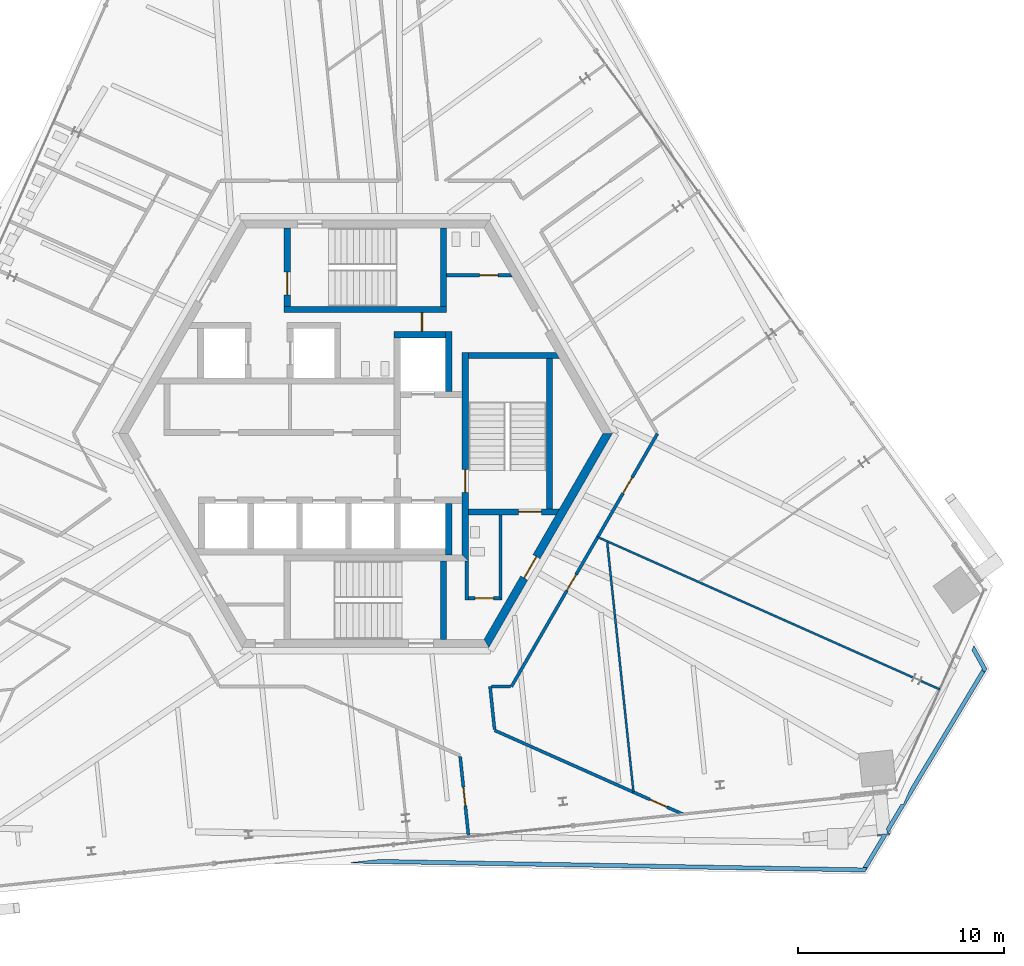
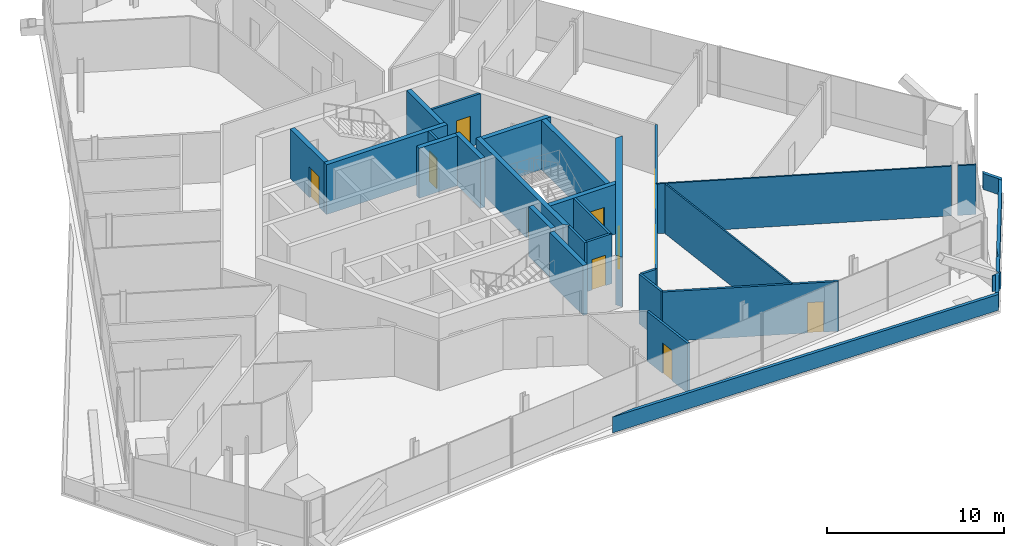
# One storey, part 15 of 21: 28 walls, 11 doors, 11 openings.
"""IFC4 building model written with IfcOpenShell, lengths in metres."""

from ifc_helpers import new_model, si_unit, direction, frame, frame_2d, origin, place, context, subcontext, project, spatial, polyline, rectangle, outline, extrude, source, transform, mapped, material, layer, layer_set, type_object, element, fill, save


model = new_model("IFC4")

# Units and contexts
model_context = context("Model", 3, precision=1e-05, world=origin(), true_north=direction((0.0, 1.0)))
body_context = subcontext(model_context, "Body", "Model", "MODEL_VIEW")
ifc_project = project(units=[si_unit("LENGTHUNIT", "METRE"), si_unit("AREAUNIT", "SQUARE_METRE"), si_unit("VOLUMEUNIT", "CUBIC_METRE"), si_unit("PLANEANGLEUNIT", "RADIAN"), si_unit("MASSUNIT", "GRAM", prefix="KILO")], contexts=[model_context])

# Site, building, storey
site_placement = place(None, origin())
site = spatial("IfcSite", under=ifc_project, at=site_placement, CompositionType="ELEMENT")
building_placement = place(site_placement, origin())
building = spatial("IfcBuilding", under=site, at=building_placement, Name="Triune Harvest Tower", CompositionType="ELEMENT")
storey_placement = place(building_placement, frame((0.0, 0.0, 219.699951171875)))
storey = spatial("IfcBuildingStorey", under=building, at=storey_placement, Name="L57", CompositionType="ELEMENT", Elevation=219.699951171875)

# Wall, opening, door
ifc_material_1 = material(Name="Gypsum board on steel studs", Category="steel")
ifc_layer_1 = layer(ifc_material_1, 0.14990234375)
ifc_layer_set_1 = layer_set([ifc_layer_1], Name="Gypsum board on steel studs")
wall_type_1 = type_object("IfcWallType", Name="Fire Partition 150 mm", PredefinedType="PARTITIONING", material=ifc_layer_set_1)
wall_1_placement = place(storey_placement, frame((6.281494140625, -14.4208984375, 0.0), z_axis=(0.0, 0.0, 1.0), x_axis=(0.913549858738, -0.406726757911, 0.0)))
wall_1 = element("IfcWall", 1, at=wall_1_placement, inside=storey, type_object=wall_type_1, Name="Partition L57 022", PredefinedType="PARTITIONING", context=body_context, shape_type="SweptSolid", body=[
    extrude(rectangle(XDim=10.009765625, YDim=0.14990234375, at=frame_2d((5.0048828125, 0.0))), origin(), (0.0, 0.0, 1.0), 3.43994140625),
])
opening_1_placement = place(wall_1_placement, frame((8.259765625, 0.0, 0.0)))
opening_1 = element("IfcOpeningElement", 2, at=opening_1_placement, cuts=wall_1, Name="Opening L57-026", PredefinedType="OPENING", context=body_context, shape_type="SweptSolid", body=[
    extrude(rectangle(XDim=0.89990234375, YDim=2.10009765625, at=frame_2d((0.449951171875, 1.050048828125))), frame((0.0, 0.0849609375, 0.0), z_axis=(0.0, -1.0, 0.0), x_axis=(1.0, 0.0, 0.0)), (0.0, 0.0, 1.0), 0.169921875),
])
ifc_material_2 = material(Name="Timber and steel door set", Category="steel")
door_type_1 = type_object("IfcDoorType", Name="Single leaf door FD30 right hand 900 x 2100", OperationType="SINGLE_SWING_RIGHT", PredefinedType="DOOR", material=ifc_material_2)
door_1_placement = place(opening_1_placement, origin())
door_1 = element("IfcDoor", 3, at=door_1_placement, inside=storey, type_object=door_type_1, Name="Door L57-026 Open Office 57.26", OperationType="SINGLE_SWING_RIGHT", OverallHeight=2.10009765625, OverallWidth=0.89990234375, PredefinedType="DOOR", context=body_context, shape_type="SweptSolid", body=[
    extrude(rectangle(XDim=0.89990234375, YDim=2.10009765625, at=frame_2d((0.449951171875, 1.050048828125))), frame((0.0, 0.02490234375, 0.0), z_axis=(0.0, -1.0, 0.0), x_axis=(1.0, 0.0, 0.0)), (0.0, 0.0, 1.0), 0.050048828125),
])
fill(opening_1, door_1)

# Walls
ifc_material_3 = material(Name="Concrete 40 MPa", Category="concrete")
ifc_layer_2 = layer(ifc_material_3, 0.199951171875)
ifc_layer_set_2 = layer_set([ifc_layer_2], Name="Concrete 40 MPa")
wall_type_2 = type_object("IfcWallType", Name="PA-1 parapet 200", PredefinedType="PARAPET", material=ifc_layer_set_2)
wall_2_placement = place(storey_placement, origin())
element("IfcWall", 4, at=wall_2_placement, inside=storey, type_object=wall_type_2, Name="Parapet wedge L56 1.1", PredefinedType="PARAPET", context=body_context, shape_type="SweptSolid", body=[
    extrude(outline(polyline([(29.966796875, -11.452880859375), (29.978515625, -11.43310546875), (29.477294921875, -10.528564453125), (29.5791015625, -10.2998046875), (30.20947265625, -11.437255859375), (30.150146484375, -11.5361328125), (30.045166015625, -11.59423828125), (29.966796875, -11.452880859375)])), origin(), (0.0, 0.0, 1.0), 1.10009765625),
])
wall_3_placement = place(storey_placement, origin())
element("IfcWall", 5, at=wall_3_placement, inside=storey, type_object=wall_type_2, Name="Parapet wedge L56 1.2", PredefinedType="PARAPET", context=body_context, shape_type="SweptSolid", body=[
    extrude(outline(polyline([(-0.6943359375, -20.8681640625), (-0.695556640625, -20.84033203125), (0.709716796875, -20.692626953125), (24.1689453125, -21.10205078125), (24.180908203125, -21.082275390625), (24.342529296875, -21.085205078125), (24.34033203125, -21.205078125), (24.281005859375, -21.303955078125), (-0.6943359375, -20.8681640625)])), origin(), (0.0, 0.0, 1.0), 1.10009765625),
])
wall_4_placement = place(storey_placement, origin())
element("IfcWall", 6, at=wall_4_placement, inside=storey, type_object=wall_type_2, Name="Parapet wedge L56 1.3", PredefinedType="PARAPET", context=body_context, shape_type="SweptSolid", body=[
    extrude(outline(polyline([(24.180908203125, -21.082275390625), (25.103271484375, -19.547119140625), (24.895263671875, -19.56884765625), (24.88720703125, -19.493896484375), (25.356201171875, -19.444580078125), (25.327880859375, -19.17333984375), (26.012939453125, -18.033203125), (26.14208984375, -18.01953125), (26.48828125, -17.24169921875), (29.966796875, -11.452880859375), (30.045166015625, -11.59423828125), (30.150146484375, -11.5361328125), (25.401123046875, -19.439697265625), (25.525634765625, -19.4267578125), (25.476806640625, -19.5078125), (25.352294921875, -19.520751953125), (24.34033203125, -21.205078125), (24.342529296875, -21.085205078125), (24.180908203125, -21.082275390625)])), origin(), (0.0, 0.0, 1.0), 1.10009765625),
])
ifc_material_4 = material(Name="Gypsum board on steel studs", Category="steel")
ifc_layer_3 = layer(ifc_material_4, 0.10009765625)
ifc_layer_set_3 = layer_set([ifc_layer_3], Name="Gypsum board on steel studs")
wall_type_3 = type_object("IfcWallType", Name="Partition 100 mm", PredefinedType="PARTITIONING", material=ifc_layer_set_3)
wall_5_placement = place(storey_placement, frame((11.75341796875, -5.29931640625, 0.0), z_axis=(0.0, 0.0, 1.0), x_axis=(0.104548232484, -0.994519817341, 0.0)))
element("IfcWall", 7, at=wall_5_placement, inside=storey, type_object=wall_type_3, Name="Partition L57 008", PredefinedType="PARTITIONING", context=body_context, shape_type="SweptSolid", body=[
    extrude(rectangle(XDim=12.192138671875, YDim=0.10009765625, at=frame_2d((6.09619140625, 0.0))), origin(), (0.0, 0.0, 1.0), 3.43994140625),
])
wall_6_placement = place(storey_placement, frame((11.29150390625, -5.02734375, 0.0), z_axis=(0.0, 0.0, 1.0), x_axis=(0.91354136442, -0.40674583648, 0.0)))
element("IfcWall", 8, at=wall_6_placement, inside=storey, type_object=wall_type_3, Name="Partition L57 028", PredefinedType="PARTITIONING", context=body_context, shape_type="SweptSolid", body=[
    extrude(rectangle(XDim=16.81787109375, YDim=0.10009765625, at=frame_2d((8.408935546875, 0.0))), origin(), (0.0, 0.0, 1.0), 3.43994140625),
])

# Wall, opening, door
ifc_material_5 = material(Name="Concrete 70 MPa", Category="concrete")
ifc_layer_4 = layer(ifc_material_5, 0.39990234375)
ifc_layer_set_4 = layer_set([ifc_layer_4], Name="Concrete 70 MPa")
wall_type_4 = type_object("IfcWallType", Name="Core wall 400", PredefinedType="SHEAR", material=ifc_layer_set_4)
shared_shape_1 = source(origin(), body_context, "Body", "SweptSolid", [
    extrude(outline(polyline([(-0.115478515625, -0.199951171875), (11.884521484375, -0.199951171875), (11.653564453125, 0.199951171875), (0.115478515625, 0.199951171875), (-0.115478515625, -0.199951171875)])), origin(), (0.0, 0.0, 1.0), 3.43994140625),
])
wall_7_placement = place(storey_placement, frame((5.884521484375, -10.1923828125, 0.0), z_axis=(0.0, 0.0, 1.0), x_axis=(0.499996592174, 0.866027371285, 0.0)))
wall_7 = element("IfcWall", 9, at=wall_7_placement, inside=storey, type_object=wall_type_4, Name="Hexagon 5 wall", PredefinedType="SHEAR", context=body_context, shape_type="MappedRepresentation", body=[
    mapped(shared_shape_1, transform((0.0, 0.0, 0.0), scale=1.0)),
])
opening_2_placement = place(wall_7_placement, frame((3.66455078125, 0.0, 0.0)))
opening_2 = element("IfcOpeningElement", 10, at=opening_2_placement, cuts=wall_7, Name="Opening CD-DP", PredefinedType="OPENING", context=body_context, shape_type="SweptSolid", body=[
    extrude(rectangle(XDim=1.199951171875, YDim=2.10009765625, at=frame_2d((0.60009765625, 1.050048828125))), frame((0.0, 0.2099609375, 0.0), z_axis=(0.0, -1.0, 0.0), x_axis=(1.0, 0.0, 0.0)), (0.0, 0.0, 1.0), 0.419921875),
])
ifc_material_6 = material(Name="Steel S235", Category="steel")
door_type_2 = type_object("IfcDoorType", Name="Stair door 1200 FD120", OperationType="SINGLE_SWING_LEFT", PredefinedType="DOOR", material=ifc_material_6)
door_2_placement = place(opening_2_placement, frame((1.199951171875, 0.0, 0.0), z_axis=(0.0, 0.0, 1.0), x_axis=(-1.0, 0.0, 0.0)))
door_2 = element("IfcDoor", 11, at=door_2_placement, inside=storey, type_object=door_type_2, Name="Door CD-DP", OperationType="SINGLE_SWING_RIGHT", OverallHeight=2.10009765625, OverallWidth=1.199951171875, PredefinedType="DOOR", context=body_context, shape_type="SweptSolid", body=[
    extrude(rectangle(XDim=1.199951171875, YDim=2.10009765625, at=frame_2d((0.60009765625, 1.050048828125))), frame((0.0, 0.02490234375, 0.0), z_axis=(0.0, -1.0, 0.0), x_axis=(1.0, 0.0, 0.0)), (0.0, 0.0, 1.0), 0.050048828125),
])
fill(opening_2, door_2)

# Walls
ifc_material_7 = material(Name="Concrete 70 MPa", Category="concrete")
ifc_layer_5 = layer(ifc_material_7, 0.300048828125)
ifc_layer_set_5 = layer_set([ifc_layer_5], Name="Concrete 70 MPa")
wall_type_5 = type_object("IfcWallType", Name="Core wall 300", PredefinedType="SHEAR", material=ifc_layer_set_5)
shared_shape_2 = source(origin(), body_context, "Body", "SweptSolid", [
    extrude(rectangle(XDim=2.5, YDim=0.300048828125, at=frame_2d((1.25, 0.0))), origin(), (0.0, 0.0, 1.0), 3.43994140625),
])
for number, where, z_axis, x_axis, name in (
    (12, (1.39990234375, 4.81005859375, 0.0), (0.0, 0.0, 1.0), (1.0, 0.0, 0.0), "Ff1 back wall"),
    (13, (4.050048828125, -5.889892578125, 0.0), (0.0, 0.0, 1.0), (0.0, 1.0, 0.0), "Ff2 east wall"),
):
    element("IfcWall", number, at=place(storey_placement, frame(where, z_axis=z_axis, x_axis=x_axis)), inside=storey, type_object=wall_type_5, Name=name, PredefinedType="SHEAR", context=body_context, shape_type="MappedRepresentation", body=[
        mapped(shared_shape_2, transform((0.0, 0.0, 0.0), scale=1.0)),
    ])
shared_shape_3 = source(origin(), body_context, "Body", "SweptSolid", [
    extrude(rectangle(XDim=2.89990234375, YDim=0.300048828125, at=frame_2d((1.449951171875, 0.0))), origin(), (0.0, 0.0, 1.0), 3.43994140625),
])
wall_8_placement = place(storey_placement, frame((4.050048828125, 2.06005859375, 0.0), z_axis=(0.0, 0.0, 1.0), x_axis=(0.0, 1.0, 0.0)))
element("IfcWall", 14, at=wall_8_placement, inside=storey, type_object=wall_type_5, Name="Ff1 east wall", PredefinedType="SHEAR", context=body_context, shape_type="MappedRepresentation", body=[
    mapped(shared_shape_3, transform((0.0, 0.0, 0.0), scale=1.0)),
])

# Wall, opening, door
shared_shape_4 = source(origin(), body_context, "Body", "SweptSolid", [
    extrude(outline(polyline([(-0.14990234375, -0.14990234375), (9.989990234375, -0.14990234375), (9.989990234375, 0.14990234375), (0.14990234375, 0.14990234375), (-0.14990234375, -0.14990234375)])), origin(), (0.0, 0.0, 1.0), 3.43994140625),
])
wall_9_placement = place(storey_placement, frame((4.85009765625, -6.0400390625, 0.0), z_axis=(0.0, 0.0, 1.0), x_axis=(0.0, 1.0, 0.0)))
wall_9 = element("IfcWall", 15, at=wall_9_placement, inside=storey, type_object=wall_type_5, Name="Stair e west wall", PredefinedType="SHEAR", context=body_context, shape_type="MappedRepresentation", body=[
    mapped(shared_shape_4, transform((0.0, 0.0, 0.0), scale=1.0)),
])
opening_3_placement = place(wall_9_placement, frame((3.18994140625, 0.0, 0.0)))
opening_3 = element("IfcOpeningElement", 16, at=opening_3_placement, cuts=wall_9, Name="Opening CD-S3L", PredefinedType="OPENING", context=body_context, shape_type="SweptSolid", body=[
    extrude(rectangle(XDim=1.10009765625, YDim=2.10009765625, at=frame_2d((0.550048828125, 1.050048828125))), frame((0.0, 0.16015625, 0.0), z_axis=(0.0, -1.0, 0.0), x_axis=(1.0, 0.0, 0.0)), (0.0, 0.0, 1.0), 0.320068359375),
])
ifc_material_8 = material(Name="Steel S235", Category="steel")
door_type_3 = type_object("IfcDoorType", Name="Stair door 1100 FD120", OperationType="SINGLE_SWING_LEFT", PredefinedType="DOOR", material=ifc_material_8)
door_3_placement = place(opening_3_placement, frame((1.10009765625, 0.0, 0.0), z_axis=(0.0, 0.0, 1.0), x_axis=(-1.0, 0.0, 0.0)))
door_3 = element("IfcDoor", 17, at=door_3_placement, inside=storey, type_object=door_type_3, Name="Door CD-S3L", OperationType="SINGLE_SWING_RIGHT", OverallHeight=2.10009765625, OverallWidth=1.10009765625, PredefinedType="DOOR", context=body_context, shape_type="SweptSolid", body=[
    extrude(rectangle(XDim=1.10009765625, YDim=2.10009765625, at=frame_2d((0.550048828125, 1.050048828125))), frame((0.0, 0.02490234375, 0.0), z_axis=(0.0, -1.0, 0.0), x_axis=(1.0, 0.0, 0.0)), (0.0, 0.0, 1.0), 0.050048828125),
])
fill(opening_3, door_3)

# Wall
shared_shape_5 = source(origin(), body_context, "Body", "SweptSolid", [
    extrude(outline(polyline([(0.0, -0.14990234375), (0.0, 0.14990234375), (4.260009765625, 0.14990234375), (4.43310546875, -0.14990234375), (0.0, -0.14990234375)])), origin(), (0.0, 0.0, 1.0), 3.43994140625),
])
wall_10_placement = place(storey_placement, frame((5.0, 3.800048828125, 0.0), z_axis=(0.0, 0.0, 1.0), x_axis=(1.0, 0.0, 0.0)))
element("IfcWall", 18, at=wall_10_placement, inside=storey, type_object=wall_type_5, Name="Stair e north wall", PredefinedType="SHEAR", context=body_context, shape_type="MappedRepresentation", body=[
    mapped(shared_shape_5, transform((0.0, 0.0, 0.0), scale=1.0)),
])

# Wall, opening, door
shared_shape_6 = source(origin(), body_context, "Body", "SweptSolid", [
    extrude(outline(polyline([(0.0, -0.14990234375), (0.0, 0.14990234375), (4.43310546875, 0.14990234375), (4.260009765625, -0.14990234375), (0.0, -0.14990234375)])), origin(), (0.0, 0.0, 1.0), 3.43994140625),
])
wall_11_placement = place(storey_placement, frame((5.0, -3.800048828125, 0.0), z_axis=(0.0, 0.0, 1.0), x_axis=(1.0, 0.0, 0.0)))
wall_11 = element("IfcWall", 19, at=wall_11_placement, inside=storey, type_object=wall_type_5, Name="Stair e south wall", PredefinedType="SHEAR", context=body_context, shape_type="MappedRepresentation", body=[
    mapped(shared_shape_6, transform((0.0, 0.0, 0.0), scale=1.0)),
])
opening_4_placement = place(wall_11_placement, frame((2.449951171875, 0.0, 0.0)))
opening_4 = element("IfcOpeningElement", 20, at=opening_4_placement, cuts=wall_11, Name="Opening CD-S3D", PredefinedType="OPENING", context=body_context, shape_type="SweptSolid", body=[
    extrude(rectangle(XDim=1.10009765625, YDim=2.10009765625, at=frame_2d((0.550048828125, 1.050048828125))), frame((0.0, 0.16015625, 0.0), z_axis=(0.0, -1.0, 0.0), x_axis=(1.0, 0.0, 0.0)), (0.0, 0.0, 1.0), 0.320068359375),
])
door_4_placement = place(opening_4_placement, frame((1.10009765625, 0.0, 0.0), z_axis=(0.0, 0.0, 1.0), x_axis=(-1.0, 0.0, 0.0)))
door_4 = element("IfcDoor", 21, at=door_4_placement, inside=storey, type_object=door_type_3, Name="Door CD-S3D", OperationType="SINGLE_SWING_RIGHT", OverallHeight=2.10009765625, OverallWidth=1.10009765625, PredefinedType="DOOR", context=body_context, shape_type="SweptSolid", body=[
    extrude(rectangle(XDim=1.10009765625, YDim=2.10009765625, at=frame_2d((0.550048828125, 1.050048828125))), frame((0.0, 0.02490234375, 0.0), z_axis=(0.0, -1.0, 0.0), x_axis=(1.0, 0.0, 0.0)), (0.0, 0.0, 1.0), 0.050048828125),
])
fill(opening_4, door_4)

# Walls
shared_shape_7 = source(origin(), body_context, "Body", "SweptSolid", [
    extrude(rectangle(XDim=7.2998046875, YDim=0.300048828125, at=frame_2d((3.64990234375, 0.0))), origin(), (0.0, 0.0, 1.0), 3.43994140625),
])
wall_12_placement = place(storey_placement, frame((8.949951171875, -3.64990234375, 0.0), z_axis=(0.0, 0.0, 1.0), x_axis=(0.0, 1.0, 0.0)))
element("IfcWall", 22, at=wall_12_placement, inside=storey, type_object=wall_type_5, Name="Stair e east wall", PredefinedType="SHEAR", context=body_context, shape_type="MappedRepresentation", body=[
    mapped(shared_shape_7, transform((0.0, 0.0, 0.0), scale=1.0)),
])
shared_shape_8 = source(origin(), body_context, "Body", "SweptSolid", [
    extrude(rectangle(XDim=7.89990234375, YDim=0.300048828125, at=frame_2d((3.949951171875, 0.0))), origin(), (0.0, 0.0, 1.0), 3.43994140625),
])
wall_13_placement = place(storey_placement, frame((-3.949951171875, 6.0400390625, 0.0), z_axis=(0.0, 0.0, 1.0), x_axis=(1.0, 0.0, 0.0)))
element("IfcWall", 23, at=wall_13_placement, inside=storey, type_object=wall_type_5, Name="Stair n south wall", PredefinedType="SHEAR", context=body_context, shape_type="MappedRepresentation", body=[
    mapped(shared_shape_8, transform((0.0, 0.0, 0.0), scale=1.0)),
])

# Wall, opening, door
shared_shape_9 = source(origin(), body_context, "Body", "SweptSolid", [
    extrude(outline(polyline([(0.0, -0.14990234375), (0.0, 0.14990234375), (3.80419921875, 0.14990234375), (3.80419921875, -0.14990234375), (0.0, -0.14990234375)])), origin(), (0.0, 0.0, 1.0), 3.43994140625),
])
wall_14_placement = place(storey_placement, frame((-3.800048828125, 6.18994140625, 0.0), z_axis=(0.0, 0.0, 1.0), x_axis=(0.0, 1.0, 0.0)))
wall_14 = element("IfcWall", 24, at=wall_14_placement, inside=storey, type_object=wall_type_5, Name="Stair n west wall", PredefinedType="SHEAR", context=body_context, shape_type="MappedRepresentation", body=[
    mapped(shared_shape_9, transform((0.0, 0.0, 0.0), scale=1.0)),
])
opening_5_placement = place(wall_14_placement, frame((0.56005859375, 0.0, 0.0)))
opening_5 = element("IfcOpeningElement", 25, at=opening_5_placement, cuts=wall_14, Name="Opening CD-S1L", PredefinedType="OPENING", context=body_context, shape_type="SweptSolid", body=[
    extrude(rectangle(XDim=1.10009765625, YDim=2.10009765625, at=frame_2d((0.550048828125, 1.050048828125))), frame((0.0, 0.16015625, 0.0), z_axis=(0.0, -1.0, 0.0), x_axis=(1.0, 0.0, 0.0)), (0.0, 0.0, 1.0), 0.320068359375),
])
door_5_placement = place(opening_5_placement, frame((1.10009765625, 0.0, 0.0), z_axis=(0.0, 0.0, 1.0), x_axis=(-1.0, 0.0, 0.0)))
door_5 = element("IfcDoor", 26, at=door_5_placement, inside=storey, type_object=door_type_3, Name="Door CD-S1L", OperationType="SINGLE_SWING_RIGHT", OverallHeight=2.10009765625, OverallWidth=1.10009765625, PredefinedType="DOOR", context=body_context, shape_type="SweptSolid", body=[
    extrude(rectangle(XDim=1.10009765625, YDim=2.10009765625, at=frame_2d((0.550048828125, 1.050048828125))), frame((0.0, 0.02490234375, 0.0), z_axis=(0.0, -1.0, 0.0), x_axis=(1.0, 0.0, 0.0)), (0.0, 0.0, 1.0), 0.050048828125),
])
fill(opening_5, door_5)

# Walls
wall_15_placement = place(storey_placement, frame((3.800048828125, 6.18994140625, 0.0), z_axis=(0.0, 0.0, 1.0), x_axis=(0.0, 1.0, 0.0)))
element("IfcWall", 27, at=wall_15_placement, inside=storey, type_object=wall_type_5, Name="Stair n east wall", PredefinedType="SHEAR", context=body_context, shape_type="MappedRepresentation", body=[
    mapped(shared_shape_9, transform((0.0, 0.0, 0.0), scale=1.0)),
])
shared_shape_10 = source(origin(), body_context, "Body", "SweptSolid", [
    extrude(outline(polyline([(3.800048828125, -0.14990234375), (-0.00439453125, -0.14990234375), (-0.00439453125, 0.14990234375), (3.800048828125, 0.14990234375), (3.800048828125, -0.14990234375)])), origin(), (0.0, 0.0, 1.0), 3.43994140625),
])
wall_16_placement = place(storey_placement, frame((3.800048828125, -9.989990234375, 0.0), z_axis=(0.0, 0.0, 1.0), x_axis=(0.0, 1.0, 0.0)))
element("IfcWall", 28, at=wall_16_placement, inside=storey, type_object=wall_type_5, Name="Stair s east wall", PredefinedType="SHEAR", context=body_context, shape_type="MappedRepresentation", body=[
    mapped(shared_shape_10, transform((0.0, 0.0, 0.0), scale=1.0)),
])

# Wall, opening, door
ifc_material_9 = material(Name="Concrete masonry unit", Category="masonry")
ifc_layer_6 = layer(ifc_material_9, 0.14990234375)
ifc_layer_set_6 = layer_set([ifc_layer_6], Name="Concrete masonry unit")
wall_type_6 = type_object("IfcWallType", Name="Block partition 150 unrated", PredefinedType="PARTITIONING", material=ifc_layer_set_6)
shared_shape_11 = source(origin(), body_context, "Body", "SweptSolid", [
    extrude(outline(polyline([(0.0, -0.074951171875), (1.64990234375, -0.074951171875), (1.5, 0.074951171875), (0.0, 0.074951171875), (0.0, -0.074951171875)])), origin(), (0.0, 0.0, 1.0), 3.43994140625),
])
wall_17_placement = place(storey_placement, frame((5.0, -8.0, 0.0), z_axis=(0.0, 0.0, 1.0), x_axis=(1.0, 0.0, 0.0)))
wall_17 = element("IfcWall", 29, at=wall_17_placement, inside=storey, type_object=wall_type_6, Name="Wc acc south wall", PredefinedType="PARTITIONING", context=body_context, shape_type="MappedRepresentation", body=[
    mapped(shared_shape_11, transform((0.0, 0.0, 0.0), scale=1.0)),
])
opening_6_placement = place(wall_17_placement, frame((0.33740234375, 0.0, 0.0)))
opening_6 = element("IfcOpeningElement", 30, at=opening_6_placement, cuts=wall_17, Name="Opening CD-WA", PredefinedType="OPENING", context=body_context, shape_type="SweptSolid", body=[
    extrude(rectangle(XDim=0.89990234375, YDim=2.10009765625, at=frame_2d((0.449951171875, 1.050048828125))), frame((0.0, 0.0849609375, 0.0), z_axis=(0.0, -1.0, 0.0), x_axis=(1.0, 0.0, 0.0)), (0.0, 0.0, 1.0), 0.169921875),
])
ifc_material_10 = material(Name="Timber C24", Category="wood")
door_type_4 = type_object("IfcDoorType", Name="WC door 900", OperationType="SINGLE_SWING_LEFT", PredefinedType="DOOR", material=ifc_material_10)
door_6_placement = place(opening_6_placement, origin())
door_6 = element("IfcDoor", 31, at=door_6_placement, inside=storey, type_object=door_type_4, Name="Door CD-WA", OperationType="SINGLE_SWING_LEFT", OverallHeight=2.10009765625, OverallWidth=0.89990234375, PredefinedType="DOOR", context=body_context, shape_type="SweptSolid", body=[
    extrude(rectangle(XDim=0.89990234375, YDim=2.10009765625, at=frame_2d((0.449951171875, 1.050048828125))), frame((0.0, 0.02490234375, 0.0), z_axis=(0.0, -1.0, 0.0), x_axis=(1.0, 0.0, 0.0)), (0.0, 0.0, 1.0), 0.050048828125),
])
fill(opening_6, door_6)

# Walls
shared_shape_12 = source(origin(), body_context, "Body", "SweptSolid", [
    extrude(outline(polyline([(-0.074951171875, -0.074951171875), (4.050048828125, -0.074951171875), (4.050048828125, 0.074951171875), (0.074951171875, 0.074951171875), (-0.074951171875, -0.074951171875)])), origin(), (0.0, 0.0, 1.0), 3.43994140625),
])
wall_18_placement = place(storey_placement, frame((6.574951171875, -8.0, 0.0), z_axis=(0.0, 0.0, 1.0), x_axis=(0.0, 1.0, 0.0)))
element("IfcWall", 32, at=wall_18_placement, inside=storey, type_object=wall_type_6, Name="Wc acc east wall", PredefinedType="PARTITIONING", context=body_context, shape_type="MappedRepresentation", body=[
    mapped(shared_shape_12, transform((0.0, 0.0, 0.0), scale=1.0)),
])
shared_shape_13 = source(origin(), body_context, "Body", "SweptSolid", [
    extrude(rectangle(XDim=1.885009765625, YDim=0.14990234375, at=frame_2d((0.9423828125, 0.0))), origin(), (0.0, 0.0, 1.0), 3.43994140625),
])
wall_19_placement = place(storey_placement, frame((4.925048828125, -8.074951171875, 0.0), z_axis=(0.0, 0.0, 1.0), x_axis=(0.0, 1.0, 0.0)))
element("IfcWall", 33, at=wall_19_placement, inside=storey, type_object=wall_type_6, Name="Wc acc west wall", PredefinedType="PARTITIONING", context=body_context, shape_type="MappedRepresentation", body=[
    mapped(shared_shape_13, transform((0.0, 0.0, 0.0), scale=1.0)),
])

# Wall, opening, door
shared_shape_14 = source(origin(), body_context, "Body", "SweptSolid", [
    extrude(outline(polyline([(0.0, -0.074951171875), (0.0, 0.074951171875), (3.1015625, 0.074951171875), (3.18798828125, -0.074951171875), (0.0, -0.074951171875)])), origin(), (0.0, 0.0, 1.0), 3.43994140625),
])
wall_20_placement = place(storey_placement, frame((3.949951171875, 7.699951171875, 0.0), z_axis=(0.0, 0.0, 1.0), x_axis=(1.0, 0.0, 0.0)))
wall_20 = element("IfcWall", 34, at=wall_20_placement, inside=storey, type_object=wall_type_6, Name="Wc women south wall", PredefinedType="PARTITIONING", context=body_context, shape_type="MappedRepresentation", body=[
    mapped(shared_shape_14, transform((0.0, 0.0, 0.0), scale=1.0)),
])
opening_7_placement = place(wall_20_placement, frame((1.60009765625, 0.0, 0.0)))
opening_7 = element("IfcOpeningElement", 35, at=opening_7_placement, cuts=wall_20, Name="Opening CD-WW", PredefinedType="OPENING", context=body_context, shape_type="SweptSolid", body=[
    extrude(rectangle(XDim=0.89990234375, YDim=2.10009765625, at=frame_2d((0.449951171875, 1.050048828125))), frame((0.0, 0.0849609375, 0.0), z_axis=(0.0, -1.0, 0.0), x_axis=(1.0, 0.0, 0.0)), (0.0, 0.0, 1.0), 0.169921875),
])
door_7_placement = place(opening_7_placement, origin())
door_7 = element("IfcDoor", 36, at=door_7_placement, inside=storey, type_object=door_type_4, Name="Door CD-WW", OperationType="SINGLE_SWING_LEFT", OverallHeight=2.10009765625, OverallWidth=0.89990234375, PredefinedType="DOOR", context=body_context, shape_type="SweptSolid", body=[
    extrude(rectangle(XDim=0.89990234375, YDim=2.10009765625, at=frame_2d((0.449951171875, 1.050048828125))), frame((0.0, 0.02490234375, 0.0), z_axis=(0.0, -1.0, 0.0), x_axis=(1.0, 0.0, 0.0)), (0.0, 0.0, 1.0), 0.050048828125),
])
fill(opening_7, door_7)

shared_shape_15 = source(origin(), body_context, "Body", "SweptSolid", [
    extrude(rectangle(XDim=0.929931640625, YDim=0.14990234375, at=frame_2d((0.46484375, 0.0))), origin(), (0.0, 0.0, 1.0), 3.43994140625),
])
wall_21_placement = place(storey_placement, frame((2.75, 4.9599609375, 0.0), z_axis=(0.0, 0.0, 1.0), x_axis=(0.0, 1.0, 0.0)))
wall_21 = element("IfcWall", 37, at=wall_21_placement, inside=storey, type_object=wall_type_6, Name="Wc men east b wall", PredefinedType="PARTITIONING", context=body_context, shape_type="MappedRepresentation", body=[
    mapped(shared_shape_15, transform((0.0, 0.0, 0.0), scale=1.0)),
])
opening_8_placement = place(wall_21_placement, frame((0.014892578125, 0.0, 0.0)))
opening_8 = element("IfcOpeningElement", 38, at=opening_8_placement, cuts=wall_21, Name="Opening CD-WM", PredefinedType="OPENING", context=body_context, shape_type="SweptSolid", body=[
    extrude(rectangle(XDim=0.89990234375, YDim=2.10009765625, at=frame_2d((0.449951171875, 1.050048828125))), frame((0.0, 0.0849609375, 0.0), z_axis=(0.0, -1.0, 0.0), x_axis=(1.0, 0.0, 0.0)), (0.0, 0.0, 1.0), 0.169921875),
])
door_8_placement = place(opening_8_placement, origin())
door_8 = element("IfcDoor", 39, at=door_8_placement, inside=storey, type_object=door_type_4, Name="Door CD-WM", OperationType="SINGLE_SWING_LEFT", OverallHeight=2.10009765625, OverallWidth=0.89990234375, PredefinedType="DOOR", context=body_context, shape_type="SweptSolid", body=[
    extrude(rectangle(XDim=0.89990234375, YDim=2.10009765625, at=frame_2d((0.449951171875, 1.050048828125))), frame((0.0, 0.02490234375, 0.0), z_axis=(0.0, -1.0, 0.0), x_axis=(1.0, 0.0, 0.0)), (0.0, 0.0, 1.0), 0.050048828125),
])
fill(opening_8, door_8)

# Wall, openings, doors
shared_shape_16 = source(origin(), body_context, "Body", "SweptSolid", [
    extrude(rectangle(XDim=14.19384765625, YDim=0.14990234375, at=frame_2d((7.096923828125, 0.0))), origin(), (0.0, 0.0, 1.0), 3.43994140625),
])
wall_22_placement = place(storey_placement, frame((7.096923828125, -12.292236328125, 0.0), z_axis=(0.0, 0.0, 1.0), x_axis=(0.499999887723, 0.866025468608, 0.0)))
wall_22 = element("IfcWall", 40, at=wall_22_placement, inside=storey, type_object=wall_type_1, Name="Partition L57 059", PredefinedType="PARTITIONING", context=body_context, shape_type="MappedRepresentation", body=[
    mapped(shared_shape_16, transform((0.0, 0.0, 0.0), scale=1.0)),
])
opening_9_placement = place(wall_22_placement, frame((10.839111328125, 0.0, 0.0)))
opening_9 = element("IfcOpeningElement", 41, at=opening_9_placement, cuts=wall_22, Name="Opening L57-002", PredefinedType="OPENING", context=body_context, shape_type="SweptSolid", body=[
    extrude(rectangle(XDim=0.89990234375, YDim=2.10009765625, at=frame_2d((0.449951171875, 1.050048828125))), frame((0.0, 0.0849609375, 0.0), z_axis=(0.0, -1.0, 0.0), x_axis=(1.0, 0.0, 0.0)), (0.0, 0.0, 1.0), 0.169921875),
])
opening_10_placement = place(wall_22_placement, frame((5.393310546875, 0.0, 0.0)))
opening_10 = element("IfcOpeningElement", 42, at=opening_10_placement, cuts=wall_22, Name="Opening L57-025", PredefinedType="OPENING", context=body_context, shape_type="SweptSolid", body=[
    extrude(rectangle(XDim=0.89990234375, YDim=2.10009765625, at=frame_2d((0.449951171875, 1.050048828125))), frame((0.0, 0.0849609375, 0.0), z_axis=(0.0, -1.0, 0.0), x_axis=(1.0, 0.0, 0.0)), (0.0, 0.0, 1.0), 0.169921875),
])
ifc_material_11 = material(Name="Timber and steel door set", Category="steel")
door_type_5 = type_object("IfcDoorType", Name="Single leaf door FD30 left hand 900 x 2100", OperationType="SINGLE_SWING_LEFT", PredefinedType="DOOR", material=ifc_material_11)
door_9_placement = place(opening_9_placement, origin())
door_9 = element("IfcDoor", 43, at=door_9_placement, inside=storey, type_object=door_type_5, Name="Door L57-002 Project Room 57.02", OperationType="SINGLE_SWING_LEFT", OverallHeight=2.10009765625, OverallWidth=0.89990234375, PredefinedType="DOOR", context=body_context, shape_type="SweptSolid", body=[
    extrude(rectangle(XDim=0.89990234375, YDim=2.10009765625, at=frame_2d((0.449951171875, 1.050048828125))), frame((0.0, 0.02490234375, 0.0), z_axis=(0.0, -1.0, 0.0), x_axis=(1.0, 0.0, 0.0)), (0.0, 0.0, 1.0), 0.050048828125),
])
fill(opening_9, door_9)
door_10_placement = place(opening_10_placement, origin())
door_10 = element("IfcDoor", 44, at=door_10_placement, inside=storey, type_object=door_type_1, Name="Door L57-025 Pantry 57.25", OperationType="SINGLE_SWING_RIGHT", OverallHeight=2.10009765625, OverallWidth=0.89990234375, PredefinedType="DOOR", context=body_context, shape_type="SweptSolid", body=[
    extrude(rectangle(XDim=0.89990234375, YDim=2.10009765625, at=frame_2d((0.449951171875, 1.050048828125))), frame((0.0, 0.02490234375, 0.0), z_axis=(0.0, -1.0, 0.0), x_axis=(1.0, 0.0, 0.0)), (0.0, 0.0, 1.0), 0.050048828125),
])
fill(opening_10, door_10)

# Wall
shared_shape_17 = source(origin(), body_context, "Body", "SweptSolid", [
    extrude(rectangle(XDim=1.0478515625, YDim=0.10009765625, at=frame_2d((0.52392578125, 0.0))), origin(), (0.0, 0.0, 1.0), 3.43994140625),
])
wall_23_placement = place(storey_placement, frame((26.9619140625, -12.00439453125, 0.0), z_axis=(0.0, 0.0, 1.0), x_axis=(0.91352309314, -0.406786870855, 0.0)))
element("IfcWall", 45, at=wall_23_placement, inside=storey, type_object=wall_type_3, Name="Partition L57 029", PredefinedType="PARTITIONING", context=body_context, shape_type="MappedRepresentation", body=[
    mapped(shared_shape_17, transform((0.0, 0.0, 0.0), scale=1.0)),
])

# Wall, opening, door
shared_shape_18 = source(origin(), body_context, "Body", "SweptSolid", [
    extrude(rectangle(XDim=3.915771484375, YDim=0.14990234375, at=frame_2d((1.9580078125, 0.0))), origin(), (0.0, 0.0, 1.0), 3.43994140625),
])
wall_24_placement = place(storey_placement, frame((4.60498046875, -15.6923828125, 0.0), z_axis=(0.0, 0.0, 1.0), x_axis=(0.104558207949, -0.994518768627, 0.0)))
wall_24 = element("IfcWall", 46, at=wall_24_placement, inside=storey, type_object=wall_type_1, Name="Partition L57 005", PredefinedType="PARTITIONING", context=body_context, shape_type="MappedRepresentation", body=[
    mapped(shared_shape_18, transform((0.0, 0.0, 0.0), scale=1.0)),
])
opening_11_placement = place(wall_24_placement, frame((1.5, 0.0, 0.0)))
opening_11 = element("IfcOpeningElement", 47, at=opening_11_placement, cuts=wall_24, Name="Opening L57-024", PredefinedType="OPENING", context=body_context, shape_type="SweptSolid", body=[
    extrude(rectangle(XDim=0.89990234375, YDim=2.10009765625, at=frame_2d((0.449951171875, 1.050048828125))), frame((0.0, 0.0849609375, 0.0), z_axis=(0.0, -1.0, 0.0), x_axis=(1.0, 0.0, 0.0)), (0.0, 0.0, 1.0), 0.169921875),
])
door_11_placement = place(opening_11_placement, origin())
door_11 = element("IfcDoor", 48, at=door_11_placement, inside=storey, type_object=door_type_5, Name="Door L57-024 Office 57.24", OperationType="SINGLE_SWING_LEFT", OverallHeight=2.10009765625, OverallWidth=0.89990234375, PredefinedType="DOOR", context=body_context, shape_type="SweptSolid", body=[
    extrude(rectangle(XDim=0.89990234375, YDim=2.10009765625, at=frame_2d((0.449951171875, 1.050048828125))), frame((0.0, 0.02490234375, 0.0), z_axis=(0.0, -1.0, 0.0), x_axis=(1.0, 0.0, 0.0)), (0.0, 0.0, 1.0), 0.050048828125),
])
fill(opening_11, door_11)

# Walls
shared_shape_19 = source(origin(), body_context, "Body", "SweptSolid", [
    extrude(rectangle(XDim=2.09033203125, YDim=0.14990234375, at=frame_2d((1.045166015625, 0.0))), origin(), (0.0, 0.0, 1.0), 3.43994140625),
])
wall_25_placement = place(storey_placement, frame((6.057861328125, -12.29248046875, 0.0), z_axis=(0.0, 0.0, 1.0), x_axis=(0.104532787966, -0.994521440815, 0.0)))
element("IfcWall", 49, at=wall_25_placement, inside=storey, type_object=wall_type_1, Name="Partition L57 007", PredefinedType="PARTITIONING", context=body_context, shape_type="MappedRepresentation", body=[
    mapped(shared_shape_19, transform((0.0, 0.0, 0.0), scale=1.0)),
])
shared_shape_20 = source(origin(), body_context, "Body", "SweptSolid", [
    extrude(rectangle(XDim=0.92919921875, YDim=0.14990234375, at=frame_2d((0.464599609375, 0.0))), origin(), (0.0, 0.0, 1.0), 3.43994140625),
])
wall_26_placement = place(storey_placement, frame((6.117919921875, -12.292236328125, 0.0), z_axis=(0.0, 0.0, 1.0), x_axis=(1.0, 0.0, 0.0)))
element("IfcWall", 50, at=wall_26_placement, inside=storey, type_object=wall_type_1, Name="Partition L57 036", PredefinedType="PARTITIONING", context=body_context, shape_type="MappedRepresentation", body=[
    mapped(shared_shape_20, transform((0.0, 0.0, 0.0), scale=1.0)),
])

save(model, "model.ifc")
